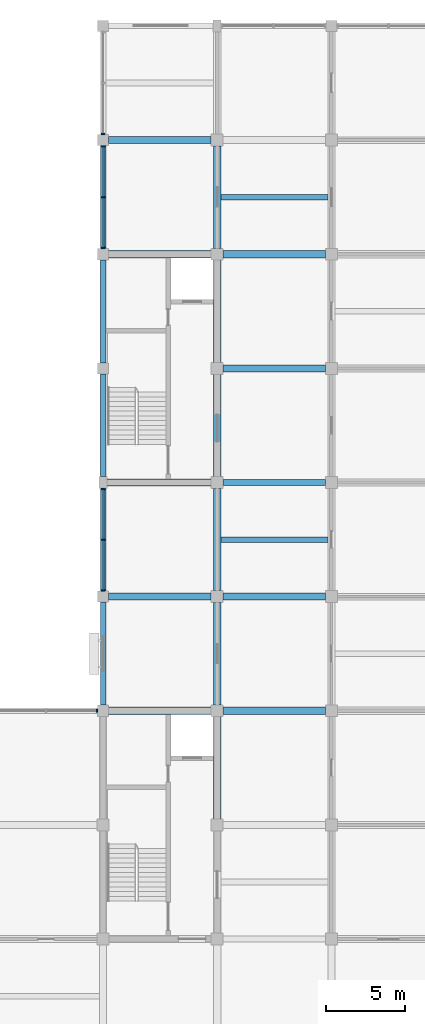
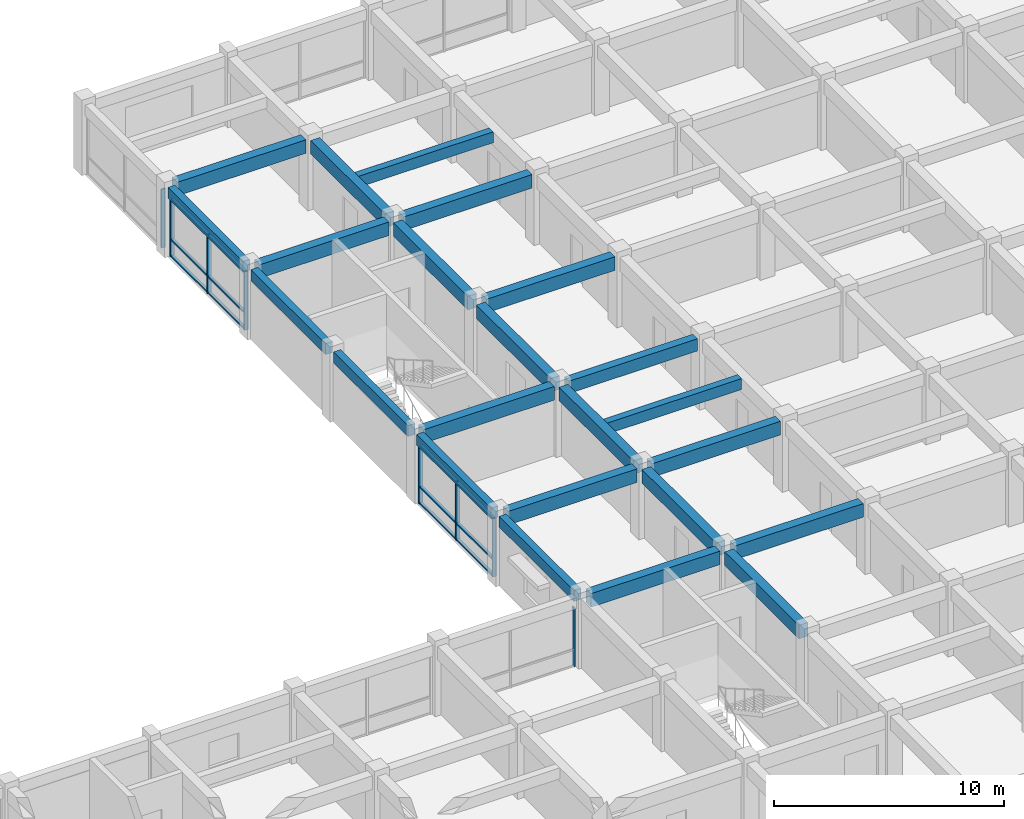
# One storey, part 5 of 25: 23 beams, 20 members, 4 elements without a shape of their own.
"""IFC4 building model written with IfcOpenShell, lengths in metres."""

from ifc_helpers import new_model, si_unit, direction, frame, origin, origin_2d, place, context, subcontext, project, spatial, rectangle, extrude, material, layer, layer_set, material_profile, profile_set, type_object, element, aggregate, save


model = new_model("IFC4")

# Units and contexts
model_context = context("Model", 3, precision=1e-05, world=origin(), true_north=direction((0.0, 1.0)))
body_context = subcontext(model_context, "Body", "Model", "MODEL_VIEW")
ifc_project = project(units=[si_unit("LENGTHUNIT", "METRE"), si_unit("AREAUNIT", "SQUARE_METRE"), si_unit("VOLUMEUNIT", "CUBIC_METRE"), si_unit("PLANEANGLEUNIT", "RADIAN"), si_unit("MASSUNIT", "GRAM", prefix="KILO")], contexts=[model_context])

# Site, building, storey
site_placement = place(None, origin())
site = spatial("IfcSite", under=ifc_project, at=site_placement, CompositionType="ELEMENT")
building_placement = place(site_placement, origin())
building = spatial("IfcBuilding", under=site, at=building_placement, Name="Cendaluz Park School", CompositionType="ELEMENT")
storey_placement = place(building_placement, frame((0.0, 0.0, 18.60009765625)))
storey = spatial("IfcBuildingStorey", under=building, at=storey_placement, Name="L04", CompositionType="ELEMENT", Elevation=18.60009765625)

# Beams
ifc_material_1 = material(Name="Concrete C40/50", Category="concrete")
ifc_material_profile_1 = material_profile(ifc_material_1, rectangle(XDim=0.449951171875, YDim=0.719970703125, at=origin_2d()), Name="RC 450x720", Category="concrete")
ifc_profile_set_1 = profile_set([ifc_material_profile_1], Name="Concrete C40/50")
beam_type_1 = type_object("IfcBeamType", Name="BM-RC02", PredefinedType="BEAM", material=ifc_profile_set_1)
for number, where, z_axis, x_axis, name in (
    (1, (65.14990234375, 28.800048828125, 3.329833984375), (1.0, 0.0, 0.0), (0.0, 1.0, 0.0), "BM-L04-BMRC02-0030"),
    (2, (65.14990234375, 36.0, 3.329833984375), (1.0, 0.0, 0.0), (0.0, 1.0, 0.0), "BM-L04-BMRC02-0031"),
):
    element("IfcBeam", number, at=place(storey_placement, frame(where, z_axis=z_axis, x_axis=x_axis)), inside=storey, type_object=beam_type_1, Name=name, PredefinedType="BEAM", context=body_context, shape_type="SweptSolid", body=[
        extrude(rectangle(XDim=0.449951171875, YDim=0.719970703125, at=origin_2d()), origin(), (0.0, 0.0, 1.0), 6.47509765625),
    ])
beam_1_placement = place(storey_placement, frame((65.050048828125, 43.199951171875, 3.329833984375), z_axis=(1.0, 0.0, 0.0), x_axis=(0.0, 1.0, 0.0)))
element("IfcBeam", 3, at=beam_1_placement, inside=storey, type_object=beam_type_1, Name="BM-L04-BMRC02-0032", PredefinedType="BEAM", context=body_context, shape_type="SweptSolid", body=[
    extrude(rectangle(XDim=0.449951171875, YDim=0.719970703125, at=origin_2d()), origin(), (0.0, 0.0, 1.0), 6.574951171875),
])
for number, where, z_axis, x_axis, name in (
    (4, (65.14990234375, 57.60009765625, 3.329833984375), (1.0, 0.0, 0.0), (0.0, 1.0, 0.0), "BM-L04-BMRC02-0033"),
    (5, (65.14990234375, 64.800048828125, 3.329833984375), (1.0, 0.0, 0.0), (0.0, 1.0, 0.0), "BM-L04-BMRC02-0034"),
):
    element("IfcBeam", number, at=place(storey_placement, frame(where, z_axis=z_axis, x_axis=x_axis)), inside=storey, type_object=beam_type_1, Name=name, PredefinedType="BEAM", context=body_context, shape_type="SweptSolid", body=[
        extrude(rectangle(XDim=0.449951171875, YDim=0.719970703125, at=origin_2d()), origin(), (0.0, 0.0, 1.0), 6.47509765625),
    ])
for number, where, z_axis, x_axis, name in (
    (6, (72.375, 28.800048828125, 3.329833984375), (1.0, 0.0, 0.0), (0.0, 1.0, 0.0), "BM-L04-BMRC02-0039"),
    (7, (72.375, 36.0, 3.329833984375), (1.0, 0.0, 0.0), (0.0, 1.0, 0.0), "BM-L04-BMRC02-0040"),
    (8, (72.375, 50.39990234375, 3.329833984375), (1.0, 0.0, 0.0), (0.0, 1.0, 0.0), "BM-L04-BMRC02-0042"),
    (9, (72.375, 57.60009765625, 3.329833984375), (1.0, 0.0, 0.0), (0.0, 1.0, 0.0), "BM-L04-BMRC02-0043"),
    (10, (72.0, 21.97509765625, 3.329833984375), (0.0, 1.0, 0.0), (-1.0, 0.0, 0.0), "BM-L04-BMRC02-0143"),
    (11, (72.0, 29.175048828125, 3.329833984375), (0.0, 1.0, 0.0), (-1.0, 0.0, 0.0), "BM-L04-BMRC02-0144"),
    (12, (72.0, 36.375, 3.329833984375), (0.0, 1.0, 0.0), (-1.0, 0.0, 0.0), "BM-L04-BMRC02-0145"),
    (13, (72.0, 43.574951171875, 3.329833984375), (0.0, 1.0, 0.0), (-1.0, 0.0, 0.0), "BM-L04-BMRC02-0146"),
):
    element("IfcBeam", number, at=place(storey_placement, frame(where, z_axis=z_axis, x_axis=x_axis)), inside=storey, type_object=beam_type_1, Name=name, PredefinedType="BEAM", context=body_context, shape_type="SweptSolid", body=[
        extrude(rectangle(XDim=0.449951171875, YDim=0.719970703125, at=origin_2d()), origin(), (0.0, 0.0, 1.0), 6.449951171875),
    ])
beam_2_placement = place(storey_placement, frame((72.0, 50.77490234375, 3.329833984375), z_axis=(0.0, 1.0, 0.0), x_axis=(-1.0, 0.0, 0.0)))
element("IfcBeam", 14, at=beam_2_placement, inside=storey, type_object=beam_type_1, Name="BM-L04-BMRC02-0147", PredefinedType="BEAM", context=body_context, shape_type="SweptSolid", body=[
    extrude(rectangle(XDim=0.449951171875, YDim=0.719970703125, at=origin_2d()), origin(), (0.0, 0.0, 1.0), 6.4501953125),
])
beam_3_placement = place(storey_placement, frame((72.0, 57.97509765625, 3.329833984375), z_axis=(0.0, 1.0, 0.0), x_axis=(-1.0, 0.0, 0.0)))
element("IfcBeam", 15, at=beam_3_placement, inside=storey, type_object=beam_type_1, Name="BM-L04-BMRC02-0148", PredefinedType="BEAM", context=body_context, shape_type="SweptSolid", body=[
    extrude(rectangle(XDim=0.449951171875, YDim=0.719970703125, at=origin_2d()), origin(), (0.0, 0.0, 1.0), 6.449951171875),
])
ifc_material_profile_2 = material_profile(ifc_material_1, rectangle(XDim=0.39990234375, YDim=0.64990234375, at=origin_2d()), Name="RC 400x650", Category="concrete")
ifc_profile_set_2 = profile_set([ifc_material_profile_2], Name="Concrete C40/50")
beam_type_2 = type_object("IfcBeamType", Name="BM-RC03", PredefinedType="T_BEAM", material=ifc_profile_set_2)
beam_4_placement = place(storey_placement, frame((72.375, 43.199951171875, 3.364990234375), z_axis=(1.0, 0.0, 0.0), x_axis=(0.0, 1.0, 0.0)))
element("IfcBeam", 16, at=beam_4_placement, inside=storey, type_object=beam_type_2, Name="BM-L04-BMRC03-0041", PredefinedType="T_BEAM", context=body_context, shape_type="SweptSolid", body=[
    extrude(rectangle(XDim=0.39990234375, YDim=0.64990234375, at=origin_2d()), origin(), (0.0, 0.0, 1.0), 6.449951171875),
])
ifc_material_profile_3 = material_profile(ifc_material_1, rectangle(XDim=0.35009765625, YDim=0.580078125, at=origin_2d()), Name="RC 350x580", Category="concrete")
ifc_profile_set_3 = profile_set([ifc_material_profile_3], Name="Concrete C40/50")
beam_type_3 = type_object("IfcBeamType", Name="BM-RC04", PredefinedType="LINTEL", material=ifc_profile_set_3)
beam_5_placement = place(storey_placement, frame((64.800048828125, 29.14990234375, 3.39990234375), z_axis=(0.0, 1.0, 0.0), x_axis=(-1.0, 0.0, 0.0)))
element("IfcBeam", 17, at=beam_5_placement, inside=storey, type_object=beam_type_3, Name="BM-L04-BMRC04-0135", PredefinedType="LINTEL", context=body_context, shape_type="SweptSolid", body=[
    extrude(rectangle(XDim=0.35009765625, YDim=0.580078125, at=origin_2d()), origin(), (0.0, 0.0, 1.0), 6.5),
])
beam_6_placement = place(storey_placement, frame((64.800048828125, 36.35009765625, 3.39990234375), z_axis=(0.0, 1.0, 0.0), x_axis=(-1.0, 0.0, 0.0)))
element("IfcBeam", 18, at=beam_6_placement, inside=storey, type_object=beam_type_3, Name="BM-L04-BMRC04-0136", PredefinedType="LINTEL", context=body_context, shape_type="SweptSolid", body=[
    extrude(rectangle(XDim=0.35009765625, YDim=0.580078125, at=origin_2d()), origin(), (0.0, 0.0, 1.0), 6.474853515625),
])
beam_7_placement = place(storey_placement, frame((64.800048828125, 43.574951171875, 3.39990234375), z_axis=(0.0, 1.0, 0.0), x_axis=(-1.0, 0.0, 0.0)))
element("IfcBeam", 19, at=beam_7_placement, inside=storey, type_object=beam_type_3, Name="BM-L04-BMRC04-0137", PredefinedType="LINTEL", context=body_context, shape_type="SweptSolid", body=[
    extrude(rectangle(XDim=0.35009765625, YDim=0.580078125, at=origin_2d()), origin(), (0.0, 0.0, 1.0), 6.47509765625),
])
for number, where, z_axis, x_axis, name in (
    (20, (64.800048828125, 50.75, 3.39990234375), (0.0, 1.0, 0.0), (-1.0, 0.0, 0.0), "BM-L04-BMRC04-0138"),
    (21, (64.800048828125, 57.949951171875, 3.39990234375), (0.0, 1.0, 0.0), (-1.0, 0.0, 0.0), "BM-L04-BMRC04-0139"),
):
    element("IfcBeam", number, at=place(storey_placement, frame(where, z_axis=z_axis, x_axis=x_axis)), inside=storey, type_object=beam_type_3, Name=name, PredefinedType="LINTEL", context=body_context, shape_type="SweptSolid", body=[
        extrude(rectangle(XDim=0.35009765625, YDim=0.580078125, at=origin_2d()), origin(), (0.0, 0.0, 1.0), 6.5),
    ])

# Curtain wall, member
ifc_material_2 = material(Name="Anodised Aluminium 6063-T6", Category="aluminium")
ifc_layer = layer(ifc_material_2, 0.179931640625)
ifc_layer_set = layer_set([ifc_layer], Name="Anodised Aluminium 6063-T6")
curtain_wall_type = type_object("IfcCurtainWallType", Name="CW-130x62", PredefinedType="NOTDEFINED", material=ifc_layer_set)
curtain_wall_1_placement = place(storey_placement, origin())
curtain_wall_1 = element("IfcCurtainWall", 22, at=curtain_wall_1_placement, inside=storey, type_object=curtain_wall_type, Name="CW-L04-171", PredefinedType="NOTDEFINED")
ifc_material_profile_4 = material_profile(ifc_material_2, rectangle(XDim=0.199951171875, YDim=0.080078125, at=origin_2d()), Name="CWM 200x80", Category="aluminium")
ifc_profile_set_4 = profile_set([ifc_material_profile_4], Name="Anodised Aluminium 6063-T6")
member_type_1 = type_object("IfcMemberType", Name="CWM-02", PredefinedType="MULLION", material=ifc_profile_set_4)
member_1_placement = place(storey_placement, frame((64.409912109375, 28.800048828125, 0.0), z_axis=(0.0, 0.0, 1.0), x_axis=(0.0, 1.0, 0.0)))
member_1 = element("IfcMember", 23, at=member_1_placement, type_object=member_type_1, Name="CP-L04-2213", PredefinedType="MULLION", context=body_context, shape_type="SweptSolid", body=[
    extrude(rectangle(XDim=0.199951171875, YDim=0.080078125, at=origin_2d()), origin(), (0.0, 0.0, 1.0), 3.10986328125),
])
aggregate(curtain_wall_1, [member_1])

# Curtain wall, members
curtain_wall_2_placement = place(storey_placement, origin())
curtain_wall_2 = element("IfcCurtainWall", 24, at=curtain_wall_2_placement, inside=storey, type_object=curtain_wall_type, Name="CW-L04-172", PredefinedType="NOTDEFINED")
member_2_placement = place(storey_placement, frame((64.800048828125, 36.389892578125, 0.0), z_axis=(0.0, 0.0, 1.0), x_axis=(-1.0, 0.0, 0.0)))
member_2 = element("IfcMember", 25, at=member_2_placement, type_object=member_type_1, Name="CP-L04-2224", PredefinedType="MULLION", context=body_context, shape_type="SweptSolid", body=[
    extrude(rectangle(XDim=0.199951171875, YDim=0.080078125, at=origin_2d()), origin(), (0.0, 0.0, 1.0), 3.10986328125),
])
member_3_placement = place(storey_placement, frame((64.800048828125, 39.58740234375, 0.0), z_axis=(0.0, 0.0, 1.0), x_axis=(-1.0, 0.0, 0.0)))
member_3 = element("IfcMember", 26, at=member_3_placement, type_object=member_type_1, Name="CP-L04-2225", PredefinedType="MULLION", context=body_context, shape_type="SweptSolid", body=[
    extrude(rectangle(XDim=0.199951171875, YDim=0.080078125, at=origin_2d()), origin(), (0.0, 0.0, 1.0), 3.10986328125),
])
member_4_placement = place(storey_placement, frame((64.800048828125, 42.784912109375, 0.0), z_axis=(0.0, 0.0, 1.0), x_axis=(-1.0, 0.0, 0.0)))
member_4 = element("IfcMember", 27, at=member_4_placement, type_object=member_type_1, Name="CP-L04-2226", PredefinedType="MULLION", context=body_context, shape_type="SweptSolid", body=[
    extrude(rectangle(XDim=0.199951171875, YDim=0.080078125, at=origin_2d()), origin(), (0.0, 0.0, 1.0), 3.10986328125),
])

curtain_wall_3_placement = place(storey_placement, origin())
curtain_wall_3 = element("IfcCurtainWall", 28, at=curtain_wall_3_placement, inside=storey, type_object=curtain_wall_type, Name="CW-L04-173", PredefinedType="NOTDEFINED")
member_5_placement = place(storey_placement, frame((64.800048828125, 57.989990234375, 0.0), z_axis=(0.0, 0.0, 1.0), x_axis=(-1.0, 0.0, 0.0)))
member_5 = element("IfcMember", 29, at=member_5_placement, type_object=member_type_1, Name="CP-L04-2237", PredefinedType="MULLION", context=body_context, shape_type="SweptSolid", body=[
    extrude(rectangle(XDim=0.199951171875, YDim=0.080078125, at=origin_2d()), origin(), (0.0, 0.0, 1.0), 3.10986328125),
])
member_6_placement = place(storey_placement, frame((64.800048828125, 61.199951171875, 0.0), z_axis=(0.0, 0.0, 1.0), x_axis=(-1.0, 0.0, 0.0)))
member_6 = element("IfcMember", 30, at=member_6_placement, type_object=member_type_1, Name="CP-L04-2238", PredefinedType="MULLION", context=body_context, shape_type="SweptSolid", body=[
    extrude(rectangle(XDim=0.199951171875, YDim=0.080078125, at=origin_2d()), origin(), (0.0, 0.0, 1.0), 3.10986328125),
])
member_7_placement = place(storey_placement, frame((64.800048828125, 64.409912109375, 0.0), z_axis=(0.0, 0.0, 1.0), x_axis=(-1.0, 0.0, 0.0)))
member_7 = element("IfcMember", 31, at=member_7_placement, type_object=member_type_1, Name="CP-L04-2239", PredefinedType="MULLION", context=body_context, shape_type="SweptSolid", body=[
    extrude(rectangle(XDim=0.199951171875, YDim=0.080078125, at=origin_2d()), origin(), (0.0, 0.0, 1.0), 3.10986328125),
])

# Curtain wall, member
curtain_wall_4_placement = place(storey_placement, origin())
curtain_wall_4 = element("IfcCurtainWall", 32, at=curtain_wall_4_placement, inside=storey, type_object=curtain_wall_type, Name="CW-L04-174", PredefinedType="NOTDEFINED")
member_8_placement = place(storey_placement, frame((64.800048828125, 65.18994140625, 0.0), z_axis=(0.0, 0.0, 1.0), x_axis=(-1.0, 0.0, 0.0)))
member_8 = element("IfcMember", 33, at=member_8_placement, type_object=member_type_1, Name="CP-L04-2250", PredefinedType="MULLION", context=body_context, shape_type="SweptSolid", body=[
    extrude(rectangle(XDim=0.199951171875, YDim=0.080078125, at=origin_2d()), origin(), (0.0, 0.0, 1.0), 3.10986328125),
])
aggregate(curtain_wall_4, [member_8])

# Member
ifc_material_profile_5 = material_profile(ifc_material_2, rectangle(XDim=0.14990234375, YDim=0.080078125, at=origin_2d()), Name="CWT 150x80", Category="aluminium")
ifc_profile_set_5 = profile_set([ifc_material_profile_5], Name="Anodised Aluminium 6063-T6")
member_type_2 = type_object("IfcMemberType", Name="CWT-02", PredefinedType="USERDEFINED", material=ifc_profile_set_5)
member_9_placement = place(storey_placement, frame((64.800048828125, 36.429931640625, 0.039794921875), z_axis=(0.0, 1.0, 0.0), x_axis=(-1.0, 0.0, 0.0)))
member_9 = element("IfcMember", 34, at=member_9_placement, type_object=member_type_2, Name="CP-L04-2227", ObjectType="TRANSOM", PredefinedType="USERDEFINED", context=body_context, shape_type="SweptSolid", body=[
    extrude(rectangle(XDim=0.14990234375, YDim=0.080078125, at=origin_2d()), origin(), (0.0, 0.0, 1.0), 3.11767578125),
])

member_10_placement = place(storey_placement, frame((64.800048828125, 36.429931640625, 0.89990234375), z_axis=(0.0, 1.0, 0.0), x_axis=(-1.0, 0.0, 0.0)))
member_10 = element("IfcMember", 35, at=member_10_placement, type_object=member_type_2, Name="CP-L04-2228", ObjectType="TRANSOM", PredefinedType="USERDEFINED", context=body_context, shape_type="SweptSolid", body=[
    extrude(rectangle(XDim=0.14990234375, YDim=0.080078125, at=origin_2d()), origin(), (0.0, 0.0, 1.0), 3.11767578125),
])

member_11_placement = place(storey_placement, frame((64.800048828125, 36.429931640625, 3.06982421875), z_axis=(0.0, 1.0, 0.0), x_axis=(-1.0, 0.0, 0.0)))
member_11 = element("IfcMember", 36, at=member_11_placement, type_object=member_type_2, Name="CP-L04-2229", ObjectType="TRANSOM", PredefinedType="USERDEFINED", context=body_context, shape_type="SweptSolid", body=[
    extrude(rectangle(XDim=0.14990234375, YDim=0.080078125, at=origin_2d()), origin(), (0.0, 0.0, 1.0), 3.11767578125),
])

member_12_placement = place(storey_placement, frame((64.800048828125, 39.62744140625, 0.039794921875), z_axis=(0.0, 1.0, 0.0), x_axis=(-1.0, 0.0, 0.0)))
member_12 = element("IfcMember", 37, at=member_12_placement, type_object=member_type_2, Name="CP-L04-2232", ObjectType="TRANSOM", PredefinedType="USERDEFINED", context=body_context, shape_type="SweptSolid", body=[
    extrude(rectangle(XDim=0.14990234375, YDim=0.080078125, at=origin_2d()), origin(), (0.0, 0.0, 1.0), 3.11767578125),
])

member_13_placement = place(storey_placement, frame((64.800048828125, 39.62744140625, 0.89990234375), z_axis=(0.0, 1.0, 0.0), x_axis=(-1.0, 0.0, 0.0)))
member_13 = element("IfcMember", 38, at=member_13_placement, type_object=member_type_2, Name="CP-L04-2233", ObjectType="TRANSOM", PredefinedType="USERDEFINED", context=body_context, shape_type="SweptSolid", body=[
    extrude(rectangle(XDim=0.14990234375, YDim=0.080078125, at=origin_2d()), origin(), (0.0, 0.0, 1.0), 3.11767578125),
])

member_14_placement = place(storey_placement, frame((64.800048828125, 39.62744140625, 3.06982421875), z_axis=(0.0, 1.0, 0.0), x_axis=(-1.0, 0.0, 0.0)))
member_14 = element("IfcMember", 39, at=member_14_placement, type_object=member_type_2, Name="CP-L04-2234", ObjectType="TRANSOM", PredefinedType="USERDEFINED", context=body_context, shape_type="SweptSolid", body=[
    extrude(rectangle(XDim=0.14990234375, YDim=0.080078125, at=origin_2d()), origin(), (0.0, 0.0, 1.0), 3.11767578125),
])

aggregate(curtain_wall_2, [member_2, member_3, member_4, member_9, member_10, member_11, member_12, member_13, member_14])

member_15_placement = place(storey_placement, frame((64.800048828125, 58.030029296875, 0.039794921875), z_axis=(0.0, 1.0, 0.0), x_axis=(-1.0, 0.0, 0.0)))
member_15 = element("IfcMember", 40, at=member_15_placement, type_object=member_type_2, Name="CP-L04-2240", ObjectType="TRANSOM", PredefinedType="USERDEFINED", context=body_context, shape_type="SweptSolid", body=[
    extrude(rectangle(XDim=0.14990234375, YDim=0.080078125, at=origin_2d()), origin(), (0.0, 0.0, 1.0), 3.1298828125),
])

member_16_placement = place(storey_placement, frame((64.800048828125, 58.030029296875, 0.89990234375), z_axis=(0.0, 1.0, 0.0), x_axis=(-1.0, 0.0, 0.0)))
member_16 = element("IfcMember", 41, at=member_16_placement, type_object=member_type_2, Name="CP-L04-2241", ObjectType="TRANSOM", PredefinedType="USERDEFINED", context=body_context, shape_type="SweptSolid", body=[
    extrude(rectangle(XDim=0.14990234375, YDim=0.080078125, at=origin_2d()), origin(), (0.0, 0.0, 1.0), 3.1298828125),
])

member_17_placement = place(storey_placement, frame((64.800048828125, 58.030029296875, 3.06982421875), z_axis=(0.0, 1.0, 0.0), x_axis=(-1.0, 0.0, 0.0)))
member_17 = element("IfcMember", 42, at=member_17_placement, type_object=member_type_2, Name="CP-L04-2242", ObjectType="TRANSOM", PredefinedType="USERDEFINED", context=body_context, shape_type="SweptSolid", body=[
    extrude(rectangle(XDim=0.14990234375, YDim=0.080078125, at=origin_2d()), origin(), (0.0, 0.0, 1.0), 3.1298828125),
])

member_18_placement = place(storey_placement, frame((64.800048828125, 61.239990234375, 0.039794921875), z_axis=(0.0, 1.0, 0.0), x_axis=(-1.0, 0.0, 0.0)))
member_18 = element("IfcMember", 43, at=member_18_placement, type_object=member_type_2, Name="CP-L04-2245", ObjectType="TRANSOM", PredefinedType="USERDEFINED", context=body_context, shape_type="SweptSolid", body=[
    extrude(rectangle(XDim=0.14990234375, YDim=0.080078125, at=origin_2d()), origin(), (0.0, 0.0, 1.0), 3.130126953125),
])

member_19_placement = place(storey_placement, frame((64.800048828125, 61.239990234375, 0.89990234375), z_axis=(0.0, 1.0, 0.0), x_axis=(-1.0, 0.0, 0.0)))
member_19 = element("IfcMember", 44, at=member_19_placement, type_object=member_type_2, Name="CP-L04-2246", ObjectType="TRANSOM", PredefinedType="USERDEFINED", context=body_context, shape_type="SweptSolid", body=[
    extrude(rectangle(XDim=0.14990234375, YDim=0.080078125, at=origin_2d()), origin(), (0.0, 0.0, 1.0), 3.130126953125),
])

member_20_placement = place(storey_placement, frame((64.800048828125, 61.239990234375, 3.06982421875), z_axis=(0.0, 1.0, 0.0), x_axis=(-1.0, 0.0, 0.0)))
member_20 = element("IfcMember", 45, at=member_20_placement, type_object=member_type_2, Name="CP-L04-2247", ObjectType="TRANSOM", PredefinedType="USERDEFINED", context=body_context, shape_type="SweptSolid", body=[
    extrude(rectangle(XDim=0.14990234375, YDim=0.080078125, at=origin_2d()), origin(), (0.0, 0.0, 1.0), 3.130126953125),
])

aggregate(curtain_wall_3, [member_5, member_6, member_7, member_15, member_16, member_17, member_18, member_19, member_20])

# Beams
ifc_material_profile_6 = material_profile(ifc_material_1, rectangle(XDim=0.35009765625, YDim=0.580078125, at=origin_2d()), Name="RC 350x580", Category="concrete")
ifc_profile_set_6 = profile_set([ifc_material_profile_6], Name="Concrete C40/50")
beam_type_4 = type_object("IfcBeamType", Name="JT-RC01", PredefinedType="JOIST", material=ifc_profile_set_6)
for number, where, z_axis, x_axis, name in (
    (46, (72.22509765625, 39.60009765625, 3.39990234375), (1.0, 0.0, 0.0), (0.0, 1.0, 0.0), "BM-L04-JTRC01-0225"),
    (47, (72.22509765625, 61.199951171875, 3.39990234375), (1.0, 0.0, 0.0), (0.0, 1.0, 0.0), "BM-L04-JTRC01-0226"),
):
    element("IfcBeam", number, at=place(storey_placement, frame(where, z_axis=z_axis, x_axis=x_axis)), inside=storey, type_object=beam_type_4, Name=name, PredefinedType="JOIST", context=body_context, shape_type="SweptSolid", body=[
        extrude(rectangle(XDim=0.35009765625, YDim=0.580078125, at=origin_2d()), origin(), (0.0, 0.0, 1.0), 6.75),
    ])

save(model, "model.ifc")
